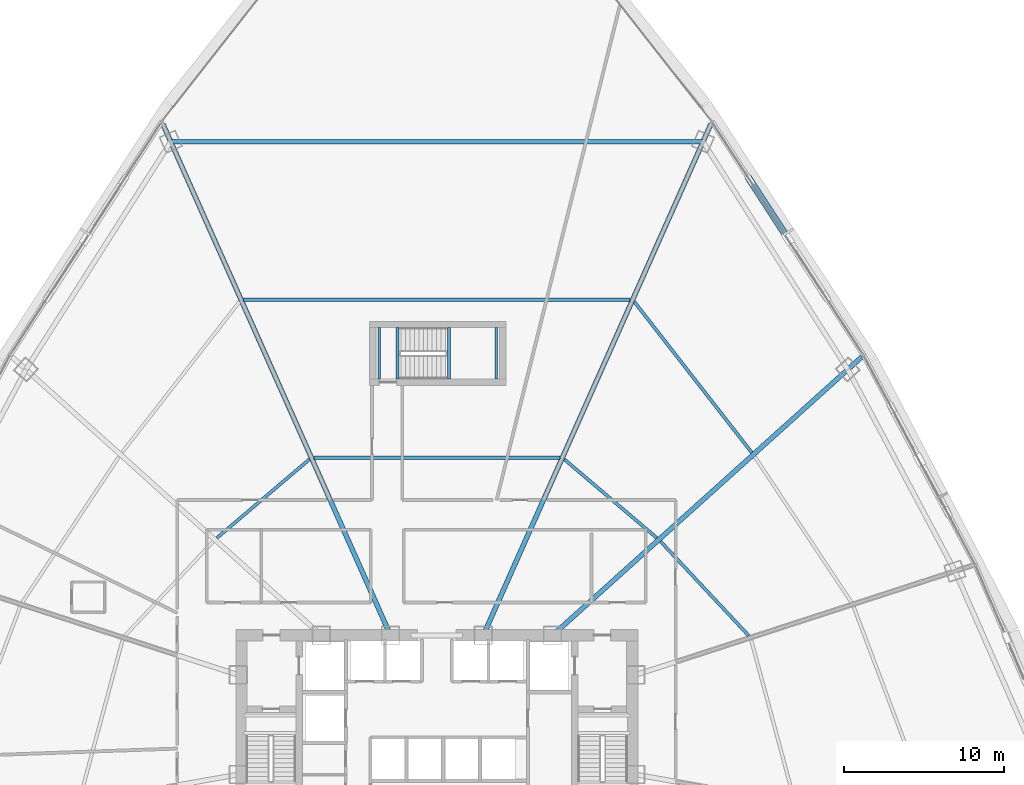
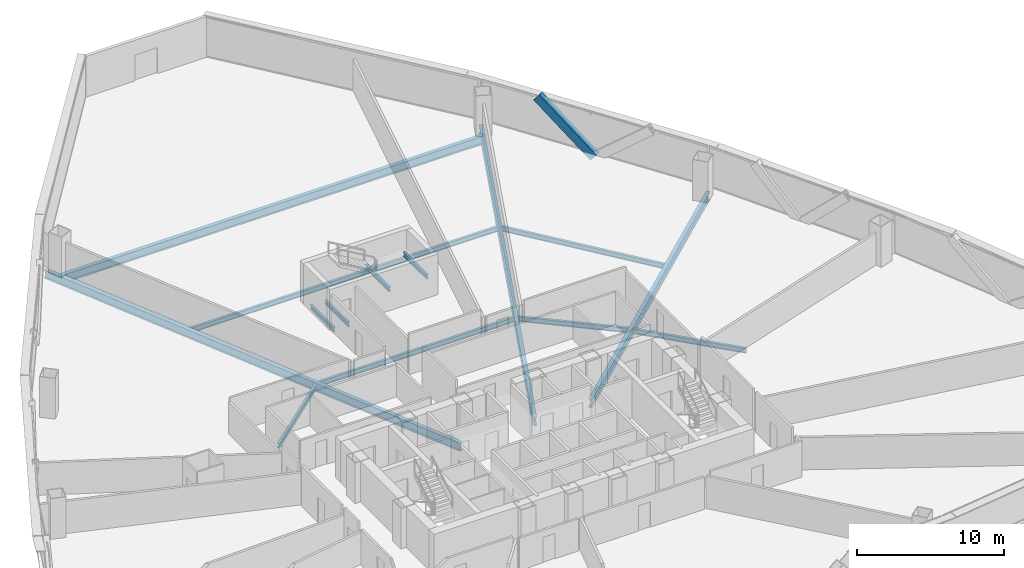
# One storey, part 19 of 37: 14 beams, 1 member.
"""IFC4 building model written with IfcOpenShell, lengths in metres."""

import ifcopenshell
import ifcopenshell.guid

model = None  # the IFC model being written
_history = None  # IfcOwnerHistory: only IFC2X3 demands one
_inside = {}  # id of a spatial element -> (the spatial element, [elements in it])
_under = {}  # id of a project, library or spatial element -> (it, [spatial elements below it])
_declared = {}  # id of a project -> (the project, [libraries it declares])
_typed = {}  # id of a type object -> (the type object, [elements of that type])
_made_of = {}  # id of a material, layer set ... -> (it, [elements and type objects made of it])


def new_model(schema):
    """Start an empty IFC model of exactly this schema.

    Asked for "IFC4X3", IfcOpenShell would pick the latest addendum, in which some entities
    have other attributes; the version numbers below select the first issue.
    IFC2X3 requires an IfcOwnerHistory on every rooted entity: one is made here for all.
    """
    global model, _history
    if schema == "IFC4X3":
        model = ifcopenshell.file(schema_version=(4, 3, 0, 0))
    else:
        model = ifcopenshell.file(schema=schema)
    _inside.clear()
    _under.clear()
    _declared.clear()
    _typed.clear()
    _made_of.clear()
    _history = None
    if model.schema == "IFC2X3":
        org = make("IfcOrganization", Name="unknown")
        user = make(
            "IfcPersonAndOrganization",
            ThePerson=make("IfcPerson", FamilyName="unknown"),
            TheOrganization=org,
        )
        app = make(
            "IfcApplication",
            ApplicationDeveloper=org,
            Version="unknown",
            ApplicationFullName="unknown",
            ApplicationIdentifier="unknown",
        )
        _history = make(
            "IfcOwnerHistory",
            OwningUser=user,
            OwningApplication=app,
            ChangeAction="ADDED",
            CreationDate=0,
        )
    return model


def make(cls, **values):
    """One entity of the class cls with the attributes given. An attribute that is None is left unset."""
    return model.create_entity(
        cls, **{name: value for name, value in values.items() if value is not None}
    )


def rooted(cls, **values):
    """An entity with a GlobalId (a new one), such as an element, a storey or a relation."""
    return make(cls, GlobalId=ifcopenshell.guid.new(), OwnerHistory=_history, **values)


def si_unit(unit_type, name, prefix=None):
    """IfcSIUnit, for example si_unit("LENGTHUNIT", "METRE", prefix="MILLI")."""
    return make("IfcSIUnit", UnitType=unit_type, Prefix=prefix, Name=name)


def assignment(units):
    """IfcUnitAssignment: the units of a project."""
    return None if units is None else make("IfcUnitAssignment", Units=units)


def point(xyz):
    """IfcCartesianPoint."""
    return None if xyz is None else make("IfcCartesianPoint", Coordinates=xyz)


def direction(xyz):
    """IfcDirection."""
    return None if xyz is None else make("IfcDirection", DirectionRatios=xyz)


def frame(location, z_axis=None, x_axis=None):
    """IfcAxis2Placement3D, a coordinate frame: its origin and axes. An axis left out is left unset."""
    return make(
        "IfcAxis2Placement3D",
        Location=point(location),
        Axis=direction(z_axis),
        RefDirection=direction(x_axis),
    )


def frame_2d(location, x_axis=None):
    """IfcAxis2Placement2D, a coordinate frame in the plane: its origin and x axis."""
    return make(
        "IfcAxis2Placement2D", Location=point(location), RefDirection=direction(x_axis)
    )


def origin():
    """The frame at (0, 0, 0) with its axes left unset."""
    return frame((0.0, 0.0, 0.0))


def origin_2d():
    """The frame at (0, 0) in the plane with its x axis left unset."""
    return frame_2d((0.0, 0.0))


def place(relative_to, where):
    """IfcLocalPlacement: puts the frame where relative to a parent placement (None: the world)."""
    return make(
        "IfcLocalPlacement", PlacementRelTo=relative_to, RelativePlacement=where
    )


def context(
    kind, dimensions, precision=None, world=None, true_north=None, identifier=None
):
    """IfcGeometricRepresentationContext, for example the 3D "Model" context."""
    return make(
        "IfcGeometricRepresentationContext",
        ContextIdentifier=identifier,
        ContextType=kind,
        CoordinateSpaceDimension=dimensions,
        Precision=precision,
        WorldCoordinateSystem=world,
        TrueNorth=true_north,
    )


def subcontext(parent, identifier, kind, view, scale=None):
    """IfcGeometricRepresentationSubContext, for example "Body" below "Model"."""
    return make(
        "IfcGeometricRepresentationSubContext",
        ContextIdentifier=identifier,
        ContextType=kind,
        ParentContext=parent,
        TargetScale=scale,
        TargetView=view,
    )


def project(units=None, contexts=None):
    """IfcProject with its units and contexts."""
    return rooted(
        "IfcProject",
        Name="project",
        RepresentationContexts=contexts,
        UnitsInContext=assignment(units),
    )


def spatial(cls, under=None, at=None, **own):
    """A site, building, storey or space (cls), placed at a placement, below another one or the project."""
    s = rooted(cls, ObjectPlacement=at, **own)
    if under is not None:
        _under.setdefault(under.id(), (under, []))[1].append(s)
    return s


def profile(cls, at=None, kind="AREA", **sizes):
    """A parametric profile (cls). Its sizes go by their IFC names, for example OverallWidth=200.0."""
    return make(cls, ProfileType=kind, Position=at, **sizes)


def hollow_rectangle(**sizes):
    """IfcRectangleHollowProfileDef."""
    return profile("IfcRectangleHollowProfileDef", **sizes)


def i_section(**sizes):
    """IfcIShapeProfileDef."""
    return profile("IfcIShapeProfileDef", **sizes)


def extrude(swept, where, along, depth):
    """IfcExtrudedAreaSolid: the profile swept, set in the frame where, extruded along a direction by depth."""
    return make(
        "IfcExtrudedAreaSolid",
        SweptArea=swept,
        Position=where,
        ExtrudedDirection=direction(along),
        Depth=depth,
    )


def shape(context_of_items, identifier, shape_type, items):
    """IfcShapeRepresentation: the items that make up one representation, for example the "Body"."""
    return make(
        "IfcShapeRepresentation",
        ContextOfItems=context_of_items,
        RepresentationIdentifier=identifier,
        RepresentationType=shape_type,
        Items=items,
    )


def source(mapping_origin, context_of_items, identifier, shape_type, items):
    """IfcRepresentationMap: a shape defined once, which mapped items show again and again."""
    return make(
        "IfcRepresentationMap",
        MappingOrigin=mapping_origin,
        MappedRepresentation=shape(context_of_items, identifier, shape_type, items),
    )


def transform(
    local_origin,
    x_axis=None,
    y_axis=None,
    z_axis=None,
    scale=None,
    scale2=None,
    scale3=None,
    uniform=True,
):
    """IfcCartesianTransformationOperator3D, or its non-uniform kind. x_axis, y_axis, z_axis: its Axis1, 2, 3."""
    if uniform:
        return make(
            "IfcCartesianTransformationOperator3D",
            Axis1=direction(x_axis),
            Axis2=direction(y_axis),
            LocalOrigin=point(local_origin),
            Scale=scale,
            Axis3=direction(z_axis),
        )
    return make(
        "IfcCartesianTransformationOperator3DnonUniform",
        Axis1=direction(x_axis),
        Axis2=direction(y_axis),
        LocalOrigin=point(local_origin),
        Scale=scale,
        Axis3=direction(z_axis),
        Scale2=scale2,
        Scale3=scale3,
    )


def mapped(mapping_source, mapping_target):
    """IfcMappedItem: shows the shape of a source again, moved by a transform."""
    return make(
        "IfcMappedItem", MappingSource=mapping_source, MappingTarget=mapping_target
    )


def material(Name=None, Category=None):
    """IfcMaterial."""
    return make("IfcMaterial", Name=Name, Category=Category)


def material_profile(
    of_material, cross_section, Name=None, Category=None, Priority=None
):
    """IfcMaterialProfile: a cross section and its material."""
    return make(
        "IfcMaterialProfile",
        Name=Name,
        Material=of_material,
        Profile=cross_section,
        Priority=Priority,
        Category=Category,
    )


def profile_set(profiles, Name=None, composite=None):
    """IfcMaterialProfileSet."""
    return make(
        "IfcMaterialProfileSet",
        Name=Name,
        MaterialProfiles=profiles,
        CompositeProfile=composite,
    )


def made_of(thing, what):
    """Note that an element or type object is made of a material, layer set ...; save() writes the relation."""
    if what is not None:
        _made_of.setdefault(what.id(), (what, []))[1].append(thing)
    return thing


def type_object(cls, material=None, **own):
    """A type object (cls), such as IfcWallType, which elements share."""
    return made_of(rooted(cls, **own), material)


def element(
    cls,
    number,
    at=None,
    inside=None,
    cuts=None,
    type_object=None,
    material=None,
    context=None,
    identifier="Body",
    shape_type=None,
    held_by="IfcProductDefinitionShape",
    body=None,
    shapes=None,
    **own,
):
    """One element of the class cls, such as IfcWall. Its Tag is "e" and its number.

    at: its placement. inside: the storey or other place that contains it. cuts: it is an
    opening in that element (IfcRelVoidsElement). A single representation is given by context,
    identifier, shape_type and body (its items); several are given by shapes. held_by: the class
    of the entity that holds the representations. save() writes the other relations.
    """
    e = rooted(cls, Tag="e%d" % number, ObjectPlacement=at, **own)
    if body is not None:
        shapes = [shape(context, identifier, shape_type, body)]
    if shapes is not None:
        e.Representation = make(held_by, Representations=shapes)
    if inside is not None:
        _inside.setdefault(inside.id(), (inside, []))[1].append(e)
    if cuts is not None:
        rooted(
            "IfcRelVoidsElement", RelatingBuildingElement=cuts, RelatedOpeningElement=e
        )
    if type_object is not None:
        _typed.setdefault(type_object.id(), (type_object, []))[1].append(e)
    return made_of(e, material)


def aggregate(whole, parts):
    """IfcRelAggregates: a whole, such as a stair, and the parts it consists of."""
    return rooted("IfcRelAggregates", RelatingObject=whole, RelatedObjects=parts)


def save(model, path):
    """Write the relations noted so far, then the file.

    IfcRelAggregates (storeys below a building ...), IfcRelContainedInSpatialStructure (elements
    in a storey), IfcRelDefinesByType, IfcRelAssociatesMaterial and IfcRelDeclares: one each for
    every whole, place, type object, material and project.
    """
    for whole, parts in _under.values():
        aggregate(whole, parts)
    for where, things in _inside.values():
        rooted(
            "IfcRelContainedInSpatialStructure",
            RelatedElements=things,
            RelatingStructure=where,
        )
    for kind, things in _typed.values():
        rooted("IfcRelDefinesByType", RelatedObjects=things, RelatingType=kind)
    for what, things in _made_of.values():
        rooted("IfcRelAssociatesMaterial", RelatedObjects=things, RelatingMaterial=what)
    for by, libraries in _declared.values():
        rooted("IfcRelDeclares", RelatingContext=by, RelatedDefinitions=libraries)
    model.write(path)


model = new_model("IFC4")

# Units and contexts
model_context = context("Model", 3, precision=1e-05, world=origin(), true_north=direction((0.0, 1.0)))
body_context = subcontext(model_context, "Body", "Model", "MODEL_VIEW")
ifc_project = project(units=[si_unit("LENGTHUNIT", "METRE"), si_unit("AREAUNIT", "SQUARE_METRE"), si_unit("VOLUMEUNIT", "CUBIC_METRE"), si_unit("PLANEANGLEUNIT", "RADIAN"), si_unit("MASSUNIT", "GRAM", prefix="KILO"), si_unit("THERMODYNAMICTEMPERATUREUNIT", "KELVIN"), si_unit("POWERUNIT", "WATT")], contexts=[model_context])

# Site, building, storey
site_placement = place(None, origin())
site = spatial("IfcSite", under=ifc_project, at=site_placement, CompositionType="ELEMENT")
building_placement = place(site_placement, origin())
building = spatial("IfcBuilding", under=site, at=building_placement, Name="Yunzhuo Pagoda Commons", CompositionType="ELEMENT")
storey_placement = place(building_placement, frame((0.0, 0.0, 55.81005859375)))
storey = spatial("IfcBuildingStorey", under=building, at=storey_placement, Name="L14", CompositionType="ELEMENT", Elevation=55.81005859375)

# Beams
ifc_material_1 = material(Name="Structural steel Q355B", Category="steel")
ifc_material_profile_1 = material_profile(ifc_material_1, i_section(OverallWidth=0.175048828125, OverallDepth=0.35009765625, WebThickness=0.007080078125, FlangeThickness=0.010986328125, at=origin_2d()), Name="Structural steel Q355B")
ifc_profile_set_1 = profile_set([ifc_material_profile_1], Name="Structural steel Q355B")
beam_type_1 = type_object("IfcBeamType", Name="B-JS2 Joist HN 350x175x7x11", PredefinedType="JOIST", material=ifc_profile_set_1)
shared_shape_1 = source(origin(), body_context, "Body", "SweptSolid", [
    extrude(i_section(OverallWidth=0.175048828125, OverallDepth=0.35009765625, WebThickness=0.007080078125, FlangeThickness=0.010986328125, at=origin_2d()), origin(), (0.0, 0.0, 1.0), 3.199951171875),
])
for number, where, z_axis, x_axis, name in (
    (1, (48.75, 56.199951171875, 1.43994140625), (0.0, 1.0, 0.0), (-1.0, 0.0, 0.0), "L14 ST3 landing support beam 18A"),
    (2, (51.699951171875, 56.199951171875, 1.43994140625), (0.0, 1.0, 0.0), (-1.0, 0.0, 0.0), "L14 ST3 landing support beam 18B"),
    (3, (44.39990234375, 56.199951171875, -0.375), (0.0, 1.0, 0.0), (-1.0, 0.0, 0.0), "L14 ST3 landing support beam 88A"),
    (4, (45.550048828125, 56.199951171875, -0.375), (0.0, 1.0, 0.0), (-1.0, 0.0, 0.0), "L14 ST3 landing support beam 88B"),
):
    element("IfcBeam", number, at=place(storey_placement, frame(where, z_axis=z_axis, x_axis=x_axis)), inside=storey, type_object=beam_type_1, Name=name, PredefinedType="JOIST", context=body_context, shape_type="MappedRepresentation", body=[
        mapped(shared_shape_1, transform((0.0, 0.0, 0.0), scale=1.0)),
    ])
ifc_material_profile_2 = material_profile(ifc_material_1, i_section(OverallWidth=0.300048828125, OverallDepth=0.699951171875, WebThickness=0.012939453125, FlangeThickness=0.02392578125, at=origin_2d()), Name="Structural steel Q355B")
ifc_profile_set_2 = profile_set([ifc_material_profile_2], Name="Structural steel Q355B")
beam_type_2 = type_object("IfcBeamType", Name="B-RG1 Beam HN 700x300x13x24", PredefinedType="BEAM", material=ifc_profile_set_2)
shared_shape_2 = source(origin(), body_context, "Body", "SweptSolid", [
    extrude(i_section(OverallWidth=0.300048828125, OverallDepth=0.699951171875, WebThickness=0.012939453125, FlangeThickness=0.02392578125, at=origin_2d()), origin(), (0.0, 0.0, 1.0), 33.2216796875),
])
beam_1_placement = place(storey_placement, frame((64.61083984375, 71.008544921875, -0.610107421875), z_axis=(-1.0, 0.0, 0.0), x_axis=(0.0, -1.0, 0.0)))
element("IfcBeam", 5, at=beam_1_placement, inside=storey, type_object=beam_type_2, Name="L14 column-ring beam 8", PredefinedType="BEAM", context=body_context, shape_type="MappedRepresentation", body=[
    mapped(shared_shape_2, transform((0.0, 0.0, 0.0), scale=1.0)),
])
ifc_material_profile_3 = material_profile(ifc_material_1, i_section(OverallWidth=0.199951171875, OverallDepth=0.39990234375, WebThickness=0.008056640625, FlangeThickness=0.012939453125, at=origin_2d()), Name="Structural steel Q355B")
ifc_profile_set_3 = profile_set([ifc_material_profile_3], Name="Structural steel Q355B")
beam_type_3 = type_object("IfcBeamType", Name="B-JS1 Joist HN 400x200x8x13", PredefinedType="JOIST", material=ifc_profile_set_3)
shared_shape_3 = source(origin(), body_context, "Body", "SweptSolid", [
    extrude(i_section(OverallWidth=0.199951171875, OverallDepth=0.39990234375, WebThickness=0.008056640625, FlangeThickness=0.012939453125, at=origin_2d()), origin(), (0.0, 0.0, 1.0), 8.055908203125),
])
beam_2_placement = place(storey_placement, frame((67.468017578125, 40.177001953125, -0.4599609375), z_axis=(-0.683432879027, 0.730013355949, 0.0), x_axis=(-0.730013355949, -0.683432879027, 0.0)))
element("IfcBeam", 6, at=beam_2_placement, inside=storey, type_object=beam_type_3, Name="L14 composite ring joist 1.6", PredefinedType="JOIST", context=body_context, shape_type="MappedRepresentation", body=[
    mapped(shared_shape_3, transform((0.0, 0.0, 0.0), scale=1.0)),
])
shared_shape_4 = source(origin(), body_context, "Body", "SweptSolid", [
    extrude(i_section(OverallWidth=0.199951171875, OverallDepth=0.39990234375, WebThickness=0.008056640625, FlangeThickness=0.012939453125, at=origin_2d()), origin(), (0.0, 0.0, 1.0), 7.583984375),
])
for number, where, z_axis, x_axis, name in (
    (7, (61.732421875, 46.277099609375, -0.4599609375), (-0.762037799133, 0.647532541803, 0.0), (-0.647532541803, -0.762037799133, 0.0), "L14 composite ring joist 1.7"),
    (8, (40.046875, 51.18798828125, -0.4599609375), (-0.762037799133, -0.647532541803, 0.0), (0.647532541803, -0.762037799133, 0.0), "L14 composite ring joist 1.9"),
):
    element("IfcBeam", number, at=place(storey_placement, frame(where, z_axis=z_axis, x_axis=x_axis)), inside=storey, type_object=beam_type_3, Name=name, PredefinedType="JOIST", context=body_context, shape_type="MappedRepresentation", body=[
        mapped(shared_shape_4, transform((0.0, 0.0, 0.0), scale=1.0)),
    ])
shared_shape_5 = source(origin(), body_context, "Body", "SweptSolid", [
    extrude(i_section(OverallWidth=0.199951171875, OverallDepth=0.39990234375, WebThickness=0.008056640625, FlangeThickness=0.012939453125, at=origin_2d()), origin(), (0.0, 0.0, 1.0), 11.9345703125),
])
beam_3_placement = place(storey_placement, frame((67.65380859375, 51.609619140625, -0.4599609375), z_axis=(-0.614572048085, 0.788860696012, 0.0), x_axis=(-0.788860696012, -0.614572048085, 0.0)))
element("IfcBeam", 9, at=beam_3_placement, inside=storey, type_object=beam_type_3, Name="L14 composite ring joist 2.7", PredefinedType="JOIST", context=body_context, shape_type="MappedRepresentation", body=[
    mapped(shared_shape_5, transform((0.0, 0.0, 0.0), scale=1.0)),
])
shared_shape_6 = source(origin(), body_context, "Body", "SweptSolid", [
    extrude(i_section(OverallWidth=0.199951171875, OverallDepth=0.39990234375, WebThickness=0.008056640625, FlangeThickness=0.012939453125, at=origin_2d()), origin(), (0.0, 0.0, 1.0), 15.34619140625),
])
beam_4_placement = place(storey_placement, frame((55.673095703125, 51.291015625, -0.4599609375), z_axis=(-1.0, 0.0, 0.0), x_axis=(0.0, -1.0, 0.0)))
element("IfcBeam", 10, at=beam_4_placement, inside=storey, type_object=beam_type_3, Name="L14 composite ring joist 1.8", PredefinedType="JOIST", context=body_context, shape_type="MappedRepresentation", body=[
    mapped(shared_shape_6, transform((0.0, 0.0, 0.0), scale=1.0)),
])
shared_shape_7 = source(origin(), body_context, "Body", "SweptSolid", [
    extrude(i_section(OverallWidth=0.199951171875, OverallDepth=0.39990234375, WebThickness=0.008056640625, FlangeThickness=0.012939453125, at=origin_2d()), origin(), (0.0, 0.0, 1.0), 24.125),
])
beam_5_placement = place(storey_placement, frame((60.0625, 61.14990234375, -0.4599609375), z_axis=(-1.0, 0.0, 0.0), x_axis=(0.0, -1.0, 0.0)))
element("IfcBeam", 11, at=beam_5_placement, inside=storey, type_object=beam_type_3, Name="L14 composite ring joist 2.8", PredefinedType="JOIST", context=body_context, shape_type="MappedRepresentation", body=[
    mapped(shared_shape_7, transform((0.0, 0.0, 0.0), scale=1.0)),
])
shared_shape_8 = source(origin(), body_context, "Body", "SweptSolid", [
    extrude(i_section(OverallWidth=0.300048828125, OverallDepth=0.699951171875, WebThickness=0.012939453125, FlangeThickness=0.02392578125, at=origin_2d()), origin(), (0.0, 0.0, 1.0), 25.97607421875),
])
beam_6_placement = place(storey_placement, frame((74.52294921875, 57.581298828125, -0.610107421875), z_axis=(-0.743145046906, -0.669130360437, 0.0), x_axis=(0.669130360437, -0.743145046906, 0.0)))
element("IfcBeam", 12, at=beam_6_placement, inside=storey, type_object=beam_type_2, Name="L14 radial floor girder F2C3", PredefinedType="BEAM", context=body_context, shape_type="MappedRepresentation", body=[
    mapped(shared_shape_8, transform((0.0, 0.0, 0.0), scale=1.0)),
])
shared_shape_9 = source(origin(), body_context, "Body", "SweptSolid", [
    extrude(i_section(OverallWidth=0.300048828125, OverallDepth=0.699951171875, WebThickness=0.012939453125, FlangeThickness=0.02392578125, at=origin_2d()), origin(), (0.0, 0.0, 1.0), 34.9482421875),
])
for number, where, z_axis, x_axis, name in (
    (13, (65.108642578125, 72.126708984375, -0.610107421875), (-0.406734044975, -0.913546614387, 0.0), (0.913546614387, -0.406734044975, 0.0), "L14 radial floor girder F2C4"),
    (14, (30.891357421875, 72.126708984375, -0.610107421875), (0.406734044975, -0.913546614387, 0.0), (0.913546614387, 0.406734044975, 0.0), "L14 radial floor girder F3C1"),
):
    element("IfcBeam", number, at=place(storey_placement, frame(where, z_axis=z_axis, x_axis=x_axis)), inside=storey, type_object=beam_type_2, Name=name, PredefinedType="BEAM", context=body_context, shape_type="MappedRepresentation", body=[
        mapped(shared_shape_9, transform((0.0, 0.0, 0.0), scale=1.0)),
    ])

# Member
ifc_material_2 = material(Name="Structural steel Q420B", Category="steel")
ifc_material_profile_4 = material_profile(ifc_material_2, hollow_rectangle(XDim=0.419921875, YDim=0.719970703125, WallThickness=0.028076171875, at=origin_2d()), Name="Structural steel Q420B")
ifc_profile_set_4 = profile_set([ifc_material_profile_4], Name="Structural steel Q420B")
member_type = type_object("IfcMemberType", Name="M-DL1 Brace BOX 720x420x28", PredefinedType="BRACE", material=ifc_profile_set_4)
shared_shape_10 = source(origin(), body_context, "Body", "SweptSolid", [
    extrude(hollow_rectangle(XDim=0.419921875, YDim=0.719970703125, WallThickness=0.028076171875, at=origin_2d()), origin(), (0.0, 0.0, 1.0), 5.662841796875),
])
member_placement = place(storey_placement, frame((69.90478515625, 64.976806640625, -0.260009765625), z_axis=(-0.417892510557, 0.643803658326, 0.641001325386), x_axis=(-0.838788662452, -0.544457142245, 0.0)))
element("IfcMember", 15, at=member_placement, inside=storey, type_object=member_type, Name="L14 facade diamond brace F2.3R", PredefinedType="BRACE", context=body_context, shape_type="MappedRepresentation", body=[
    mapped(shared_shape_10, transform((0.0, 0.0, 0.0), scale=1.0)),
])

save(model, "model.ifc")
